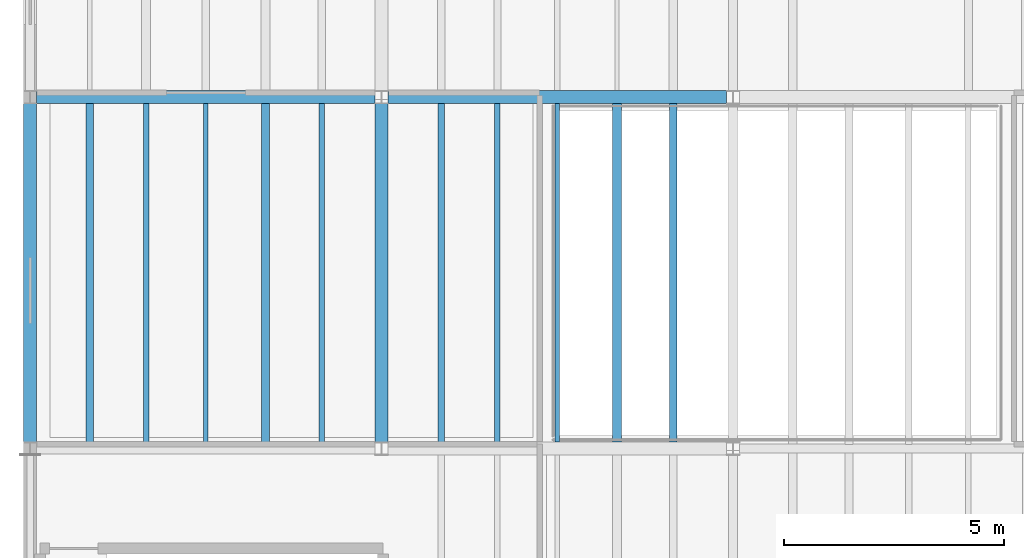
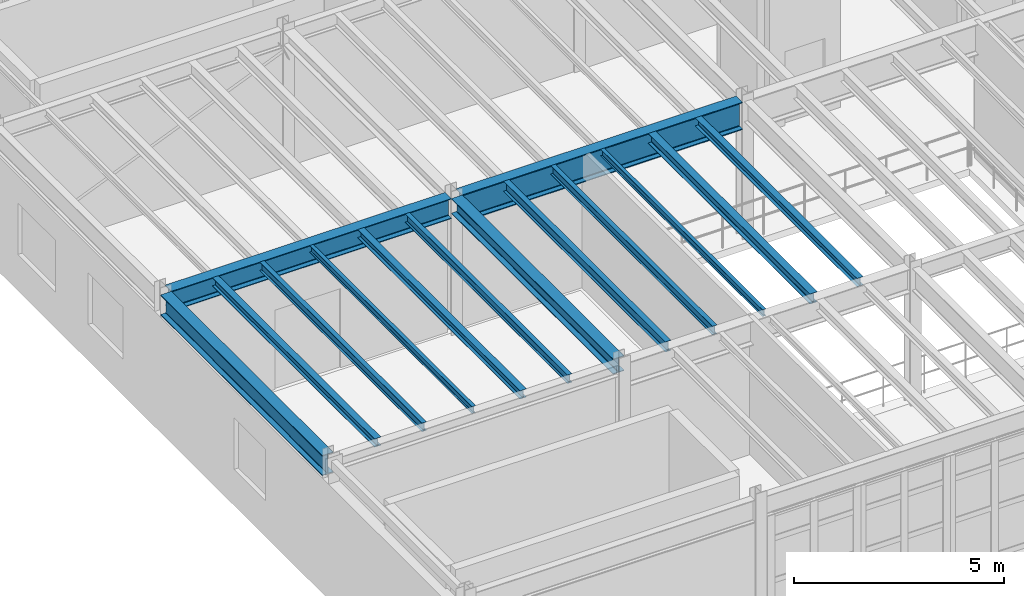
# One storey, part 9 of 78: 14 beams.
"""IFC4 building model written with IfcOpenShell, lengths in metres."""

from ifc_helpers import new_model, si_unit, direction, frame, origin, origin_2d, place, context, subcontext, project, spatial, i_section, extrude, material, material_profile, profile_set, type_object, element, save


model = new_model("IFC4")

# Units and contexts
model_context = context("Model", 3, precision=1e-05, world=origin(), true_north=direction((0.0, 1.0)))
body_context = subcontext(model_context, "Body", "Model", "MODEL_VIEW")
ifc_project = project(units=[si_unit("LENGTHUNIT", "METRE"), si_unit("AREAUNIT", "SQUARE_METRE"), si_unit("VOLUMEUNIT", "CUBIC_METRE"), si_unit("PLANEANGLEUNIT", "RADIAN"), si_unit("MASSUNIT", "GRAM", prefix="KILO"), si_unit("THERMODYNAMICTEMPERATUREUNIT", "KELVIN"), si_unit("POWERUNIT", "WATT")], contexts=[model_context])

# Site, building, storey
site_placement = place(None, origin())
site = spatial("IfcSite", under=ifc_project, at=site_placement, CompositionType="ELEMENT")
building_placement = place(site_placement, origin())
building = spatial("IfcBuilding", under=site, at=building_placement, Name="Zhenchuan Central Fire Station", CompositionType="ELEMENT")
storey_placement = place(building_placement, frame((0.0, 0.0, 5.85009765625)))
storey = spatial("IfcBuildingStorey", under=building, at=storey_placement, Name="L02", CompositionType="ELEMENT", Elevation=5.85009765625)

# Beams
ifc_material = material(Name="Steel Q355B", Category="steel")
ifc_material_profile_1 = material_profile(ifc_material, i_section(OverallWidth=0.300048828125, OverallDepth=0.43994140625, WebThickness=0.010986328125, FlangeThickness=0.01806640625, FilletRadius=0.02197265625, at=origin_2d()), Name="HM 440x300")
ifc_profile_set_1 = profile_set([ifc_material_profile_1], Name="Steel Q355B")
beam_type_1 = type_object("IfcBeamType", Name="BM-HM440-INT", PredefinedType="BEAM", material=ifc_profile_set_1)
beam_1_placement = place(storey_placement, frame((8.0, 6.64990234375, 3.77978515625), z_axis=(0.0, 1.0, 0.0), x_axis=(-1.0, 0.0, 0.0)))
element("IfcBeam", 1, at=beam_1_placement, inside=storey, type_object=beam_type_1, Name="L03 Girder NS 0282", PredefinedType="BEAM", context=body_context, shape_type="SweptSolid", body=[
    extrude(i_section(OverallWidth=0.300048828125, OverallDepth=0.43994140625, WebThickness=0.010986328125, FlangeThickness=0.01806640625, FilletRadius=0.02197265625, at=origin_2d()), origin(), (0.0, 0.0, 1.0), 7.7001953125),
])
ifc_material_profile_2 = material_profile(ifc_material, i_section(OverallWidth=0.300048828125, OverallDepth=0.587890625, WebThickness=0.011962890625, FlangeThickness=0.02001953125, FilletRadius=0.02392578125, at=origin_2d()), Name="HM 588x300")
ifc_profile_set_2 = profile_set([ifc_material_profile_2], Name="Steel Q355B")
beam_type_2 = type_object("IfcBeamType", Name="BM-HM588", PredefinedType="BEAM", material=ifc_profile_set_2)
beam_2_placement = place(storey_placement, frame((0.14990234375, 14.5, 3.705810546875), z_axis=(1.0, 0.0, 0.0), x_axis=(0.0, 1.0, 0.0)))
element("IfcBeam", 2, at=beam_2_placement, inside=storey, type_object=beam_type_2, Name="L03 Girder EW 0207", PredefinedType="BEAM", context=body_context, shape_type="SweptSolid", body=[
    extrude(i_section(OverallWidth=0.300048828125, OverallDepth=0.587890625, WebThickness=0.011962890625, FlangeThickness=0.02001953125, FilletRadius=0.02392578125, at=origin_2d()), origin(), (0.0, 0.0, 1.0), 7.7001953125),
])
ifc_material_profile_3 = material_profile(ifc_material, i_section(OverallWidth=0.300048828125, OverallDepth=0.587890625, WebThickness=0.011962890625, FlangeThickness=0.02001953125, FilletRadius=0.02392578125, at=origin_2d()), Name="HM 588x300")
ifc_profile_set_3 = profile_set([ifc_material_profile_3], Name="Steel Q355B")
beam_type_3 = type_object("IfcBeamType", Name="BM-HM588-EXT", PredefinedType="BEAM", material=ifc_profile_set_3)
beam_3_placement = place(storey_placement, frame((0.0, 6.64990234375, 3.705810546875), z_axis=(0.0, 1.0, 0.0), x_axis=(-1.0, 0.0, 0.0)))
element("IfcBeam", 3, at=beam_3_placement, inside=storey, type_object=beam_type_3, Name="L03 Girder NS 0275", PredefinedType="BEAM", context=body_context, shape_type="SweptSolid", body=[
    extrude(i_section(OverallWidth=0.300048828125, OverallDepth=0.587890625, WebThickness=0.011962890625, FlangeThickness=0.02001953125, FilletRadius=0.02392578125, at=origin_2d()), origin(), (0.0, 0.0, 1.0), 7.7001953125),
])
ifc_material_profile_4 = material_profile(ifc_material, i_section(OverallWidth=0.300048828125, OverallDepth=0.800048828125, WebThickness=0.013916015625, FlangeThickness=0.02587890625, FilletRadius=0.02587890625, at=origin_2d()), Name="HN 800x300")
ifc_profile_set_4 = profile_set([ifc_material_profile_4], Name="Steel Q355B")
beam_type_4 = type_object("IfcBeamType", Name="BM-HN800", PredefinedType="BEAM", material=ifc_profile_set_4)
beam_4_placement = place(storey_placement, frame((8.14990234375, 14.5, 3.599853515625), z_axis=(1.0, 0.0, 0.0), x_axis=(0.0, 1.0, 0.0)))
element("IfcBeam", 4, at=beam_4_placement, inside=storey, type_object=beam_type_4, Name="L03 Girder EW 0208", PredefinedType="BEAM", context=body_context, shape_type="SweptSolid", body=[
    extrude(i_section(OverallWidth=0.300048828125, OverallDepth=0.800048828125, WebThickness=0.013916015625, FlangeThickness=0.02587890625, FilletRadius=0.02587890625, at=origin_2d()), origin(), (0.0, 0.0, 1.0), 7.7001953125),
])
ifc_material_profile_5 = material_profile(ifc_material, i_section(OverallWidth=0.175048828125, OverallDepth=0.243896484375, WebThickness=0.007080078125, FlangeThickness=0.010986328125, FilletRadius=0.012939453125, at=origin_2d()), Name="HM 244x175")
ifc_profile_set_5 = profile_set([ifc_material_profile_5], Name="Steel Q355B")
beam_type_5 = type_object("IfcBeamType", Name="JS-HM244", PredefinedType="JOIST", material=ifc_profile_set_5)
for number, where, z_axis, x_axis, name in (
    (5, (1.360107421875, 6.6220703125, 3.8779296875), (0.0, 1.0, 0.0), (-1.0, 0.0, 0.0), "L03 Secondary Joist 0327"),
    (6, (5.360107421875, 6.6220703125, 3.8779296875), (0.0, 1.0, 0.0), (-1.0, 0.0, 0.0), "L03 Secondary Joist 0330"),
):
    element("IfcBeam", number, at=place(storey_placement, frame(where, z_axis=z_axis, x_axis=x_axis)), inside=storey, type_object=beam_type_5, Name=name, PredefinedType="JOIST", context=body_context, shape_type="SweptSolid", body=[
        extrude(i_section(OverallWidth=0.175048828125, OverallDepth=0.243896484375, WebThickness=0.007080078125, FlangeThickness=0.010986328125, FilletRadius=0.012939453125, at=origin_2d()), origin(), (0.0, 0.0, 1.0), 7.73095703125),
    ])
beam_5_placement = place(storey_placement, frame((14.639892578125, 6.64697265625, 3.8779296875), z_axis=(0.0, 1.0, 0.0), x_axis=(-1.0, 0.0, 0.0)))
element("IfcBeam", 7, at=beam_5_placement, inside=storey, type_object=beam_type_5, Name="L03 Secondary Joist 0336", PredefinedType="JOIST", context=body_context, shape_type="SweptSolid", body=[
    extrude(i_section(OverallWidth=0.175048828125, OverallDepth=0.243896484375, WebThickness=0.007080078125, FlangeThickness=0.010986328125, FilletRadius=0.012939453125, at=origin_2d()), origin(), (0.0, 0.0, 1.0), 7.7060546875),
])
ifc_material_profile_6 = material_profile(ifc_material, i_section(OverallWidth=0.199951171875, OverallDepth=0.2939453125, WebThickness=0.008056640625, FlangeThickness=0.011962890625, FilletRadius=0.01611328125, at=origin_2d()), Name="HM 294x200")
ifc_profile_set_6 = profile_set([ifc_material_profile_6], Name="Steel Q355B")
beam_type_6 = type_object("IfcBeamType", Name="JS-HM294", PredefinedType="JOIST", material=ifc_profile_set_6)
beam_6_placement = place(storey_placement, frame((13.360107421875, 6.64697265625, 3.852783203125), z_axis=(0.0, 1.0, 0.0), x_axis=(-1.0, 0.0, 0.0)))
element("IfcBeam", 8, at=beam_6_placement, inside=storey, type_object=beam_type_6, Name="L03 Secondary Joist 0335", PredefinedType="JOIST", context=body_context, shape_type="SweptSolid", body=[
    extrude(i_section(OverallWidth=0.199951171875, OverallDepth=0.2939453125, WebThickness=0.008056640625, FlangeThickness=0.011962890625, FilletRadius=0.01611328125, at=origin_2d()), origin(), (0.0, 0.0, 1.0), 7.7060546875),
])
ifc_material_profile_7 = material_profile(ifc_material, i_section(OverallWidth=0.10009765625, OverallDepth=0.199951171875, WebThickness=0.005615234375, FlangeThickness=0.008056640625, FilletRadius=0.010986328125, at=origin_2d()), Name="HN 200x100")
ifc_profile_set_7 = profile_set([ifc_material_profile_7], Name="Steel Q355B")
beam_type_7 = type_object("IfcBeamType", Name="JS-HN200", PredefinedType="JOIST", material=ifc_profile_set_7)
beam_7_placement = place(storey_placement, frame((4.0, 6.6220703125, 3.89990234375), z_axis=(0.0, 1.0, 0.0), x_axis=(-1.0, 0.0, 0.0)))
element("IfcBeam", 9, at=beam_7_placement, inside=storey, type_object=beam_type_7, Name="L03 Secondary Joist 0329", PredefinedType="JOIST", context=body_context, shape_type="SweptSolid", body=[
    extrude(i_section(OverallWidth=0.10009765625, OverallDepth=0.199951171875, WebThickness=0.005615234375, FlangeThickness=0.008056640625, FilletRadius=0.010986328125, at=origin_2d()), origin(), (0.0, 0.0, 1.0), 7.73095703125),
])
beam_8_placement = place(storey_placement, frame((12.0, 6.64697265625, 3.89990234375), z_axis=(0.0, 1.0, 0.0), x_axis=(-1.0, 0.0, 0.0)))
element("IfcBeam", 10, at=beam_8_placement, inside=storey, type_object=beam_type_7, Name="L03 Secondary Joist 0334", PredefinedType="JOIST", context=body_context, shape_type="SweptSolid", body=[
    extrude(i_section(OverallWidth=0.10009765625, OverallDepth=0.199951171875, WebThickness=0.005615234375, FlangeThickness=0.008056640625, FilletRadius=0.010986328125, at=origin_2d()), origin(), (0.0, 0.0, 1.0), 7.7060546875),
])
ifc_material_profile_8 = material_profile(ifc_material, i_section(OverallWidth=0.125, OverallDepth=0.25, WebThickness=0.006103515625, FlangeThickness=0.009033203125, FilletRadius=0.011962890625, at=origin_2d()), Name="HN 250x125")
ifc_profile_set_8 = profile_set([ifc_material_profile_8], Name="Steel Q355B")
beam_type_8 = type_object("IfcBeamType", Name="JS-HN250", PredefinedType="JOIST", material=ifc_profile_set_8)
for number, where, z_axis, x_axis, name in (
    (11, (2.639892578125, 6.6220703125, 3.875), (0.0, 1.0, 0.0), (-1.0, 0.0, 0.0), "L03 Secondary Joist 0328"),
    (12, (6.639892578125, 6.6220703125, 3.875), (0.0, 1.0, 0.0), (-1.0, 0.0, 0.0), "L03 Secondary Joist 0331"),
):
    element("IfcBeam", number, at=place(storey_placement, frame(where, z_axis=z_axis, x_axis=x_axis)), inside=storey, type_object=beam_type_8, Name=name, PredefinedType="JOIST", context=body_context, shape_type="SweptSolid", body=[
        extrude(i_section(OverallWidth=0.125, OverallDepth=0.25, WebThickness=0.006103515625, FlangeThickness=0.009033203125, FilletRadius=0.011962890625, at=origin_2d()), origin(), (0.0, 0.0, 1.0), 7.73095703125),
    ])
beam_9_placement = place(storey_placement, frame((10.639892578125, 6.64697265625, 3.875), z_axis=(0.0, 1.0, 0.0), x_axis=(-1.0, 0.0, 0.0)))
element("IfcBeam", 13, at=beam_9_placement, inside=storey, type_object=beam_type_8, Name="L03 Secondary Joist 0333", PredefinedType="JOIST", context=body_context, shape_type="SweptSolid", body=[
    extrude(i_section(OverallWidth=0.125, OverallDepth=0.25, WebThickness=0.006103515625, FlangeThickness=0.009033203125, FilletRadius=0.011962890625, at=origin_2d()), origin(), (0.0, 0.0, 1.0), 7.7060546875),
])
ifc_material_profile_9 = material_profile(ifc_material, i_section(OverallWidth=0.14990234375, OverallDepth=0.300048828125, WebThickness=0.006591796875, FlangeThickness=0.009033203125, FilletRadius=0.012939453125, at=origin_2d()), Name="HN 300x150")
ifc_profile_set_9 = profile_set([ifc_material_profile_9], Name="Steel Q355B")
beam_type_9 = type_object("IfcBeamType", Name="JS-HN300", PredefinedType="JOIST", material=ifc_profile_set_9)
beam_10_placement = place(storey_placement, frame((9.360107421875, 6.64697265625, 3.849853515625), z_axis=(0.0, 1.0, 0.0), x_axis=(-1.0, 0.0, 0.0)))
element("IfcBeam", 14, at=beam_10_placement, inside=storey, type_object=beam_type_9, Name="L03 Secondary Joist 0332", PredefinedType="JOIST", context=body_context, shape_type="SweptSolid", body=[
    extrude(i_section(OverallWidth=0.14990234375, OverallDepth=0.300048828125, WebThickness=0.006591796875, FlangeThickness=0.009033203125, FilletRadius=0.012939453125, at=origin_2d()), origin(), (0.0, 0.0, 1.0), 7.7060546875),
])

save(model, "model.ifc")
